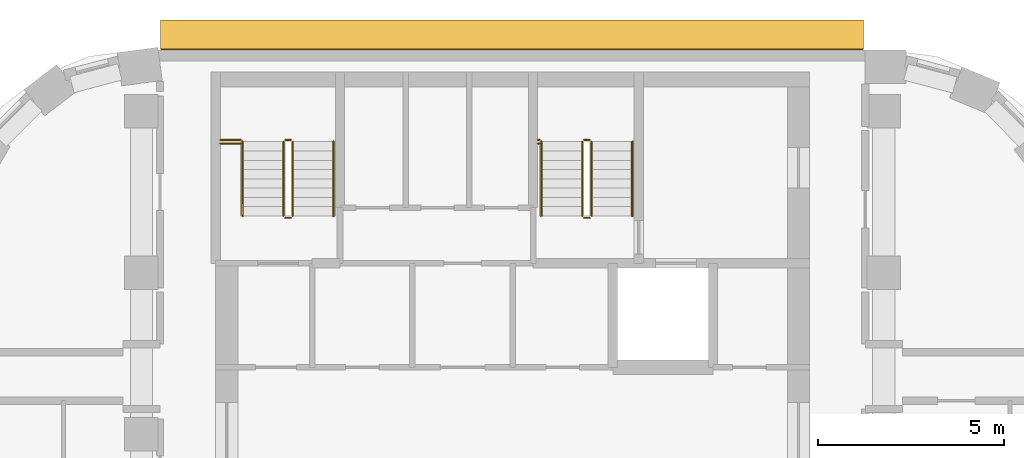
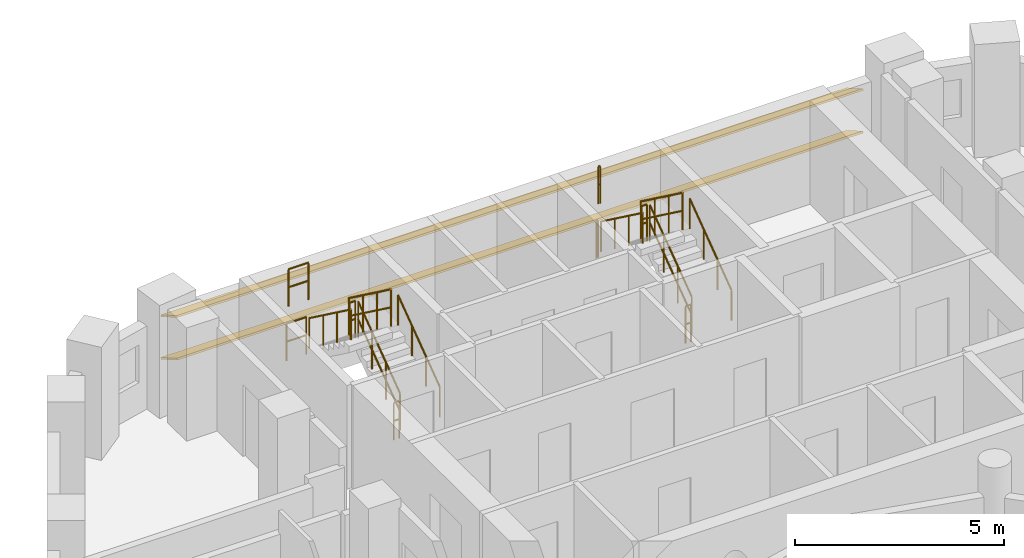
# One storey, part 12 of 12: 16 railings, 2 shading devices.
"""IFC4 building model written with IfcOpenShell, lengths in metres."""

from ifc_helpers import new_model, si_unit, direction, frame, origin, origin_2d, place, context, subcontext, project, spatial, rectangle, circle, extrude, material, material_profile, profile_set, type_object, element, save


model = new_model("IFC4")

# Units and contexts
model_context = context("Model", 3, precision=1e-05, world=origin(), true_north=direction((0.0, 1.0)))
body_context = subcontext(model_context, "Body", "Model", "MODEL_VIEW")
ifc_project = project(units=[si_unit("LENGTHUNIT", "METRE"), si_unit("AREAUNIT", "SQUARE_METRE"), si_unit("VOLUMEUNIT", "CUBIC_METRE"), si_unit("PLANEANGLEUNIT", "RADIAN"), si_unit("MASSUNIT", "GRAM", prefix="KILO")], contexts=[model_context])

# Site, building, storey
site_placement = place(None, origin())
site = spatial("IfcSite", under=ifc_project, at=site_placement, CompositionType="ELEMENT")
building_placement = place(site_placement, origin())
building = spatial("IfcBuilding", under=site, at=building_placement, Name="Nakaniwa Court", CompositionType="ELEMENT")
storey_placement = place(building_placement, frame((0.0, 0.0, 255.89990234375)))
storey = spatial("IfcBuildingStorey", under=building, at=storey_placement, Name="L67", CompositionType="ELEMENT", Elevation=255.89990234375)

# Shading devices
ifc_material_1 = material(Name="Perforated charcoal ceramic louvre blade")
ifc_material_profile = material_profile(ifc_material_1, rectangle(XDim=0.89990234375, YDim=0.050048828125, at=origin_2d()), Name="Perforated ceramic louvre blade")
ifc_profile_set = profile_set([ifc_material_profile], Name="Perforated charcoal ceramic louvre blade")
shading_device_type = type_object("IfcShadingDeviceType", Name="Perforated ceramic louvre blade", PredefinedType="JALOUSIE", material=ifc_profile_set)
for number, where, z_axis, x_axis, name in (
    (1, (89.44921875, 103.05224609375, 0.550048828125), (-1.0, 0.0, 0.0), (0.0, -0.866025403784, 0.5), "L67 perforated ceramic louvre blade w08 1"),
    (2, (89.44921875, 103.05224609375, 1.79345703125), (-1.0, 0.0, 0.0), (0.0, -0.866025403784, 0.5), "L67 perforated ceramic louvre blade w08 2"),
):
    element("IfcShadingDevice", number, at=place(storey_placement, frame(where, z_axis=z_axis, x_axis=x_axis)), inside=storey, type_object=shading_device_type, Name=name, PredefinedType="JALOUSIE", context=body_context, shape_type="SweptSolid", body=[
        extrude(rectangle(XDim=0.89990234375, YDim=0.050048828125, at=origin_2d()), origin(), (0.0, 0.0, 1.0), 18.933349609375),
    ])

# Railings
ifc_material_2 = material(Name="Black powder coated steel guard", Category="steel")
railing_type_1 = type_object("IfcRailingType", Name="Stair guard 1100", PredefinedType="GUARDRAIL", material=ifc_material_2)
railing_1_placement = place(storey_placement, frame((74.074951171875, 98.175048828125, 0.183349609375)))
element("IfcRailing", 3, at=railing_1_placement, inside=storey, type_object=railing_type_1, Name="L67 ST1 stair guard 1", PredefinedType="GUARDRAIL", context=body_context, shape_type="SweptSolid", body=[
    extrude(circle(Radius=0.02392578125, at=origin_2d()), frame((0.0, 0.0, 1.076171875), z_axis=(0.0, 0.806379959628, 0.591397802423), x_axis=(-1.0, 0.0, 0.0)), (0.0, 0.0, 1.0), 2.480224609375),
    extrude(circle(Radius=0.02392578125, at=origin_2d()), frame((0.0, 0.0, 0.550048828125), z_axis=(0.0, 0.806379959628, 0.591397802423), x_axis=(-1.0, 0.0, 0.0)), (0.0, 0.0, 1.0), 2.480224609375),
    extrude(circle(Radius=0.02099609375, at=origin_2d()), origin(), (0.0, 0.0, 1.0), 1.052001953125),
    extrude(circle(Radius=0.02099609375, at=origin_2d()), frame((0.0, 0.666748046875, 0.489013671875)), (0.0, 0.0, 1.0), 1.052001953125),
    extrude(circle(Radius=0.02099609375, at=origin_2d()), frame((0.0, 1.333251953125, 0.977783203125)), (0.0, 0.0, 1.0), 1.052001953125),
    extrude(circle(Radius=0.02099609375, at=origin_2d()), frame((0.0, 2.0, 1.466796875)), (0.0, 0.0, 1.0), 1.052001953125),
])
railing_2_placement = place(storey_placement, frame((74.02490234375, 100.22509765625, 1.650146484375)))
element("IfcRailing", 4, at=railing_2_placement, inside=storey, type_object=railing_type_1, Name="L67 ST1 stair guard 2", PredefinedType="GUARDRAIL", context=body_context, shape_type="SweptSolid", body=[
    extrude(circle(Radius=0.02392578125, at=origin_2d()), frame((0.0, 0.0, 1.076171875), z_axis=(-1.0, 0.0, 0.0), x_axis=(0.0, -1.0, 0.0)), (0.0, 0.0, 1.0), 0.14990234375),
    extrude(circle(Radius=0.02392578125, at=origin_2d()), frame((0.0, 0.0, 0.550048828125), z_axis=(-1.0, 0.0, 0.0), x_axis=(0.0, -1.0, 0.0)), (0.0, 0.0, 1.0), 0.14990234375),
    extrude(circle(Radius=0.02099609375, at=origin_2d()), origin(), (0.0, 0.0, 1.0), 1.052001953125),
    extrude(circle(Radius=0.02099609375, at=origin_2d()), frame((-0.14990234375, 0.0, 0.0)), (0.0, 0.0, 1.0), 1.052001953125),
])
railing_3_placement = place(storey_placement, frame((73.824951171875, 100.175048828125, 1.83349609375)))
element("IfcRailing", 5, at=railing_3_placement, inside=storey, type_object=railing_type_1, Name="L67 ST1 stair guard 3", PredefinedType="GUARDRAIL", context=body_context, shape_type="SweptSolid", body=[
    extrude(circle(Radius=0.02392578125, at=origin_2d()), frame((0.0, 0.0, 1.076171875), z_axis=(0.0, -0.806426902644, 0.591333789573), x_axis=(1.0, 0.0, 0.0)), (0.0, 0.0, 1.0), 2.47998046875),
    extrude(circle(Radius=0.02392578125, at=origin_2d()), frame((0.0, 0.0, 0.550048828125), z_axis=(0.0, -0.806426902644, 0.591333789573), x_axis=(1.0, 0.0, 0.0)), (0.0, 0.0, 1.0), 2.47998046875),
    extrude(circle(Radius=0.02099609375, at=origin_2d()), origin(), (0.0, 0.0, 1.0), 1.052001953125),
    extrude(circle(Radius=0.02099609375, at=origin_2d()), frame((0.0, -0.666748046875, 0.48876953125)), (0.0, 0.0, 1.0), 1.052001953125),
    extrude(circle(Radius=0.02099609375, at=origin_2d()), frame((0.0, -1.333251953125, 0.977783203125)), (0.0, 0.0, 1.0), 1.052001953125),
    extrude(circle(Radius=0.02099609375, at=origin_2d()), frame((0.0, -2.0, 1.466552734375)), (0.0, 0.0, 1.0), 1.052001953125),
])
railing_4_placement = place(storey_placement, frame((74.02490234375, 98.125, 0.0)))
element("IfcRailing", 6, at=railing_4_placement, inside=storey, type_object=railing_type_1, Name="L67 ST1 stair guard 4", PredefinedType="GUARDRAIL", context=body_context, shape_type="SweptSolid", body=[
    extrude(circle(Radius=0.02392578125, at=origin_2d()), frame((0.0, 0.0, 1.076171875), z_axis=(-1.0, 0.0, 0.0), x_axis=(0.0, -1.0, 0.0)), (0.0, 0.0, 1.0), 0.14990234375),
    extrude(circle(Radius=0.02392578125, at=origin_2d()), frame((0.0, 0.0, 0.550048828125), z_axis=(-1.0, 0.0, 0.0), x_axis=(0.0, -1.0, 0.0)), (0.0, 0.0, 1.0), 0.14990234375),
    extrude(circle(Radius=0.02099609375, at=origin_2d()), origin(), (0.0, 0.0, 1.0), 1.052001953125),
    extrude(circle(Radius=0.02099609375, at=origin_2d()), frame((-0.14990234375, 0.0, 0.0)), (0.0, 0.0, 1.0), 1.052001953125),
])
for number, where, name in (
    (7, (72.125, 100.22509765625, 1.650146484375), "L67 ST1 landing side guard 1W"),
    (8, (72.125, 100.125, 3.300048828125), "L67 ST1 floor edge guard 1W"),
):
    element("IfcRailing", number, at=place(storey_placement, frame(where)), inside=storey, type_object=railing_type_1, Name=name, PredefinedType="GUARDRAIL", context=body_context, shape_type="SweptSolid", body=[
        extrude(circle(Radius=0.02392578125, at=origin_2d()), frame((0.0, 0.0, 1.076171875), z_axis=(1.0, 0.0, 0.0), x_axis=(0.0, 1.0, 0.0)), (0.0, 0.0, 1.0), 0.550048828125),
        extrude(circle(Radius=0.02392578125, at=origin_2d()), frame((0.0, 0.0, 0.550048828125), z_axis=(1.0, 0.0, 0.0), x_axis=(0.0, 1.0, 0.0)), (0.0, 0.0, 1.0), 0.550048828125),
        extrude(circle(Radius=0.02099609375, at=origin_2d()), origin(), (0.0, 0.0, 1.0), 1.052001953125),
        extrude(circle(Radius=0.02099609375, at=origin_2d()), frame((0.550048828125, 0.0, 0.0)), (0.0, 0.0, 1.0), 1.052001953125),
    ])
railing_5_placement = place(storey_placement, frame((82.125, 98.175048828125, 0.183349609375)))
element("IfcRailing", 9, at=railing_5_placement, inside=storey, type_object=railing_type_1, Name="L67 ST2 stair guard 1", PredefinedType="GUARDRAIL", context=body_context, shape_type="SweptSolid", body=[
    extrude(circle(Radius=0.02392578125, at=origin_2d()), frame((0.0, 0.0, 1.076171875), z_axis=(0.0, 0.806379959628, 0.591397802423), x_axis=(-1.0, 0.0, 0.0)), (0.0, 0.0, 1.0), 2.480224609375),
    extrude(circle(Radius=0.02392578125, at=origin_2d()), frame((0.0, 0.0, 0.550048828125), z_axis=(0.0, 0.806379959628, 0.591397802423), x_axis=(-1.0, 0.0, 0.0)), (0.0, 0.0, 1.0), 2.480224609375),
    extrude(circle(Radius=0.02099609375, at=origin_2d()), origin(), (0.0, 0.0, 1.0), 1.052001953125),
    extrude(circle(Radius=0.02099609375, at=origin_2d()), frame((0.0, 0.666748046875, 0.489013671875)), (0.0, 0.0, 1.0), 1.052001953125),
    extrude(circle(Radius=0.02099609375, at=origin_2d()), frame((0.0, 1.333251953125, 0.977783203125)), (0.0, 0.0, 1.0), 1.052001953125),
    extrude(circle(Radius=0.02099609375, at=origin_2d()), frame((0.0, 2.0, 1.466796875)), (0.0, 0.0, 1.0), 1.052001953125),
])
railing_6_placement = place(storey_placement, frame((82.074951171875, 100.22509765625, 1.650146484375)))
element("IfcRailing", 10, at=railing_6_placement, inside=storey, type_object=railing_type_1, Name="L67 ST2 stair guard 2", PredefinedType="GUARDRAIL", context=body_context, shape_type="SweptSolid", body=[
    extrude(circle(Radius=0.02392578125, at=origin_2d()), frame((0.0, 0.0, 1.076171875), z_axis=(-1.0, 0.0, 0.0), x_axis=(0.0, -1.0, 0.0)), (0.0, 0.0, 1.0), 0.14990234375),
    extrude(circle(Radius=0.02392578125, at=origin_2d()), frame((0.0, 0.0, 0.550048828125), z_axis=(-1.0, 0.0, 0.0), x_axis=(0.0, -1.0, 0.0)), (0.0, 0.0, 1.0), 0.14990234375),
    extrude(circle(Radius=0.02099609375, at=origin_2d()), origin(), (0.0, 0.0, 1.0), 1.052001953125),
    extrude(circle(Radius=0.02099609375, at=origin_2d()), frame((-0.14990234375, 0.0, 0.0)), (0.0, 0.0, 1.0), 1.052001953125),
])
railing_7_placement = place(storey_placement, frame((81.875, 100.175048828125, 1.83349609375)))
element("IfcRailing", 11, at=railing_7_placement, inside=storey, type_object=railing_type_1, Name="L67 ST2 stair guard 3", PredefinedType="GUARDRAIL", context=body_context, shape_type="SweptSolid", body=[
    extrude(circle(Radius=0.02392578125, at=origin_2d()), frame((0.0, 0.0, 1.076171875), z_axis=(0.0, -0.806426902644, 0.591333789573), x_axis=(1.0, 0.0, 0.0)), (0.0, 0.0, 1.0), 2.47998046875),
    extrude(circle(Radius=0.02392578125, at=origin_2d()), frame((0.0, 0.0, 0.550048828125), z_axis=(0.0, -0.806426902644, 0.591333789573), x_axis=(1.0, 0.0, 0.0)), (0.0, 0.0, 1.0), 2.47998046875),
    extrude(circle(Radius=0.02099609375, at=origin_2d()), origin(), (0.0, 0.0, 1.0), 1.052001953125),
    extrude(circle(Radius=0.02099609375, at=origin_2d()), frame((0.0, -0.666748046875, 0.48876953125)), (0.0, 0.0, 1.0), 1.052001953125),
    extrude(circle(Radius=0.02099609375, at=origin_2d()), frame((0.0, -1.333251953125, 0.977783203125)), (0.0, 0.0, 1.0), 1.052001953125),
    extrude(circle(Radius=0.02099609375, at=origin_2d()), frame((0.0, -2.0, 1.466552734375)), (0.0, 0.0, 1.0), 1.052001953125),
])
railing_8_placement = place(storey_placement, frame((82.074951171875, 98.125, 0.0)))
element("IfcRailing", 12, at=railing_8_placement, inside=storey, type_object=railing_type_1, Name="L67 ST2 stair guard 4", PredefinedType="GUARDRAIL", context=body_context, shape_type="SweptSolid", body=[
    extrude(circle(Radius=0.02392578125, at=origin_2d()), frame((0.0, 0.0, 1.076171875), z_axis=(-1.0, 0.0, 0.0), x_axis=(0.0, -1.0, 0.0)), (0.0, 0.0, 1.0), 0.14990234375),
    extrude(circle(Radius=0.02392578125, at=origin_2d()), frame((0.0, 0.0, 0.550048828125), z_axis=(-1.0, 0.0, 0.0), x_axis=(0.0, -1.0, 0.0)), (0.0, 0.0, 1.0), 0.14990234375),
    extrude(circle(Radius=0.02099609375, at=origin_2d()), origin(), (0.0, 0.0, 1.0), 1.052001953125),
    extrude(circle(Radius=0.02099609375, at=origin_2d()), frame((-0.14990234375, 0.0, 0.0)), (0.0, 0.0, 1.0), 1.052001953125),
])
for number, where, name in (
    (13, (80.675048828125, 100.22509765625, 1.650146484375), "L67 ST2 landing side guard 1W"),
    (14, (80.675048828125, 100.125, 3.300048828125), "L67 ST2 floor edge guard 1W"),
):
    element("IfcRailing", number, at=place(storey_placement, frame(where)), inside=storey, type_object=railing_type_1, Name=name, PredefinedType="GUARDRAIL", context=body_context, shape_type="SweptSolid", body=[
        extrude(circle(Radius=0.02392578125, at=origin_2d()), frame((0.0, 0.0, 1.076171875), z_axis=(1.0, 0.0, 0.0), x_axis=(0.0, 1.0, 0.0)), (0.0, 0.0, 1.0), 0.050048828125),
        extrude(circle(Radius=0.02392578125, at=origin_2d()), frame((0.0, 0.0, 0.550048828125), z_axis=(1.0, 0.0, 0.0), x_axis=(0.0, 1.0, 0.0)), (0.0, 0.0, 1.0), 0.050048828125),
        extrude(circle(Radius=0.02099609375, at=origin_2d()), origin(), (0.0, 0.0, 1.0), 1.052001953125),
        extrude(circle(Radius=0.02099609375, at=origin_2d()), frame((0.050048828125, 0.0, 0.0)), (0.0, 0.0, 1.0), 1.052001953125),
    ])
ifc_material_3 = material(Name="Black powder coated steel handrail", Category="steel")
railing_type_2 = type_object("IfcRailingType", Name="Stair handrail 900", PredefinedType="HANDRAIL", material=ifc_material_3)
railing_9_placement = place(storey_placement, frame((75.175048828125, 98.175048828125, 0.183349609375)))
element("IfcRailing", 15, at=railing_9_placement, inside=storey, type_object=railing_type_2, Name="L67 ST1 stair handrail 1", PredefinedType="HANDRAIL", context=body_context, shape_type="SweptSolid", body=[
    extrude(circle(Radius=0.02392578125, at=origin_2d()), frame((0.0, 0.0, 0.8759765625), z_axis=(0.0, 0.806379959628, 0.591397802423), x_axis=(-1.0, 0.0, 0.0)), (0.0, 0.0, 1.0), 2.480224609375),
    extrude(circle(Radius=0.02099609375, at=origin_2d()), origin(), (0.0, 0.0, 1.0), 0.851806640625),
    extrude(circle(Radius=0.02099609375, at=origin_2d()), frame((0.0, 0.666748046875, 0.489013671875)), (0.0, 0.0, 1.0), 0.851806640625),
    extrude(circle(Radius=0.02099609375, at=origin_2d()), frame((0.0, 1.333251953125, 0.977783203125)), (0.0, 0.0, 1.0), 0.851806640625),
    extrude(circle(Radius=0.02099609375, at=origin_2d()), frame((0.0, 2.0, 1.466796875)), (0.0, 0.0, 1.0), 0.851806640625),
])
railing_10_placement = place(storey_placement, frame((72.72509765625, 100.175048828125, 1.83349609375)))
element("IfcRailing", 16, at=railing_10_placement, inside=storey, type_object=railing_type_2, Name="L67 ST1 stair handrail 2", PredefinedType="HANDRAIL", context=body_context, shape_type="SweptSolid", body=[
    extrude(circle(Radius=0.02392578125, at=origin_2d()), frame((0.0, 0.0, 0.8759765625), z_axis=(0.0, -0.806426902644, 0.591333789573), x_axis=(1.0, 0.0, 0.0)), (0.0, 0.0, 1.0), 2.47998046875),
    extrude(circle(Radius=0.02099609375, at=origin_2d()), origin(), (0.0, 0.0, 1.0), 0.851806640625),
    extrude(circle(Radius=0.02099609375, at=origin_2d()), frame((0.0, -0.666748046875, 0.48876953125)), (0.0, 0.0, 1.0), 0.851806640625),
    extrude(circle(Radius=0.02099609375, at=origin_2d()), frame((0.0, -1.333251953125, 0.977783203125)), (0.0, 0.0, 1.0), 0.851806640625),
    extrude(circle(Radius=0.02099609375, at=origin_2d()), frame((0.0, -2.0, 1.466552734375)), (0.0, 0.0, 1.0), 0.851806640625),
])
railing_11_placement = place(storey_placement, frame((83.22509765625, 98.175048828125, 0.183349609375)))
element("IfcRailing", 17, at=railing_11_placement, inside=storey, type_object=railing_type_2, Name="L67 ST2 stair handrail 1", PredefinedType="HANDRAIL", context=body_context, shape_type="SweptSolid", body=[
    extrude(circle(Radius=0.02392578125, at=origin_2d()), frame((0.0, 0.0, 0.8759765625), z_axis=(0.0, 0.806379959628, 0.591397802423), x_axis=(-1.0, 0.0, 0.0)), (0.0, 0.0, 1.0), 2.480224609375),
    extrude(circle(Radius=0.02099609375, at=origin_2d()), origin(), (0.0, 0.0, 1.0), 0.851806640625),
    extrude(circle(Radius=0.02099609375, at=origin_2d()), frame((0.0, 0.666748046875, 0.489013671875)), (0.0, 0.0, 1.0), 0.851806640625),
    extrude(circle(Radius=0.02099609375, at=origin_2d()), frame((0.0, 1.333251953125, 0.977783203125)), (0.0, 0.0, 1.0), 0.851806640625),
    extrude(circle(Radius=0.02099609375, at=origin_2d()), frame((0.0, 2.0, 1.466796875)), (0.0, 0.0, 1.0), 0.851806640625),
])
railing_12_placement = place(storey_placement, frame((80.77490234375, 100.175048828125, 1.83349609375)))
element("IfcRailing", 18, at=railing_12_placement, inside=storey, type_object=railing_type_2, Name="L67 ST2 stair handrail 2", PredefinedType="HANDRAIL", context=body_context, shape_type="SweptSolid", body=[
    extrude(circle(Radius=0.02392578125, at=origin_2d()), frame((0.0, 0.0, 0.8759765625), z_axis=(0.0, -0.806426902644, 0.591333789573), x_axis=(1.0, 0.0, 0.0)), (0.0, 0.0, 1.0), 2.47998046875),
    extrude(circle(Radius=0.02099609375, at=origin_2d()), origin(), (0.0, 0.0, 1.0), 0.851806640625),
    extrude(circle(Radius=0.02099609375, at=origin_2d()), frame((0.0, -0.666748046875, 0.48876953125)), (0.0, 0.0, 1.0), 0.851806640625),
    extrude(circle(Radius=0.02099609375, at=origin_2d()), frame((0.0, -1.333251953125, 0.977783203125)), (0.0, 0.0, 1.0), 0.851806640625),
    extrude(circle(Radius=0.02099609375, at=origin_2d()), frame((0.0, -2.0, 1.466552734375)), (0.0, 0.0, 1.0), 0.851806640625),
])

save(model, "model.ifc")
